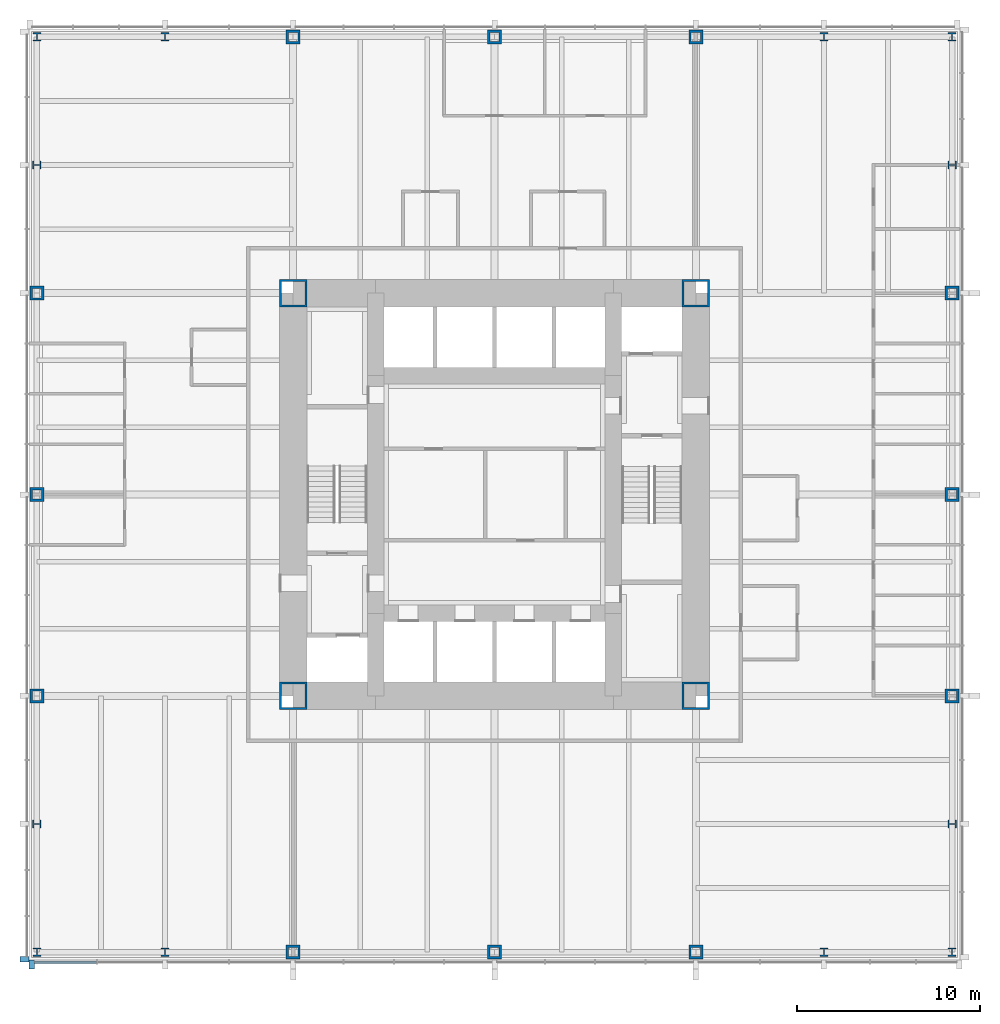
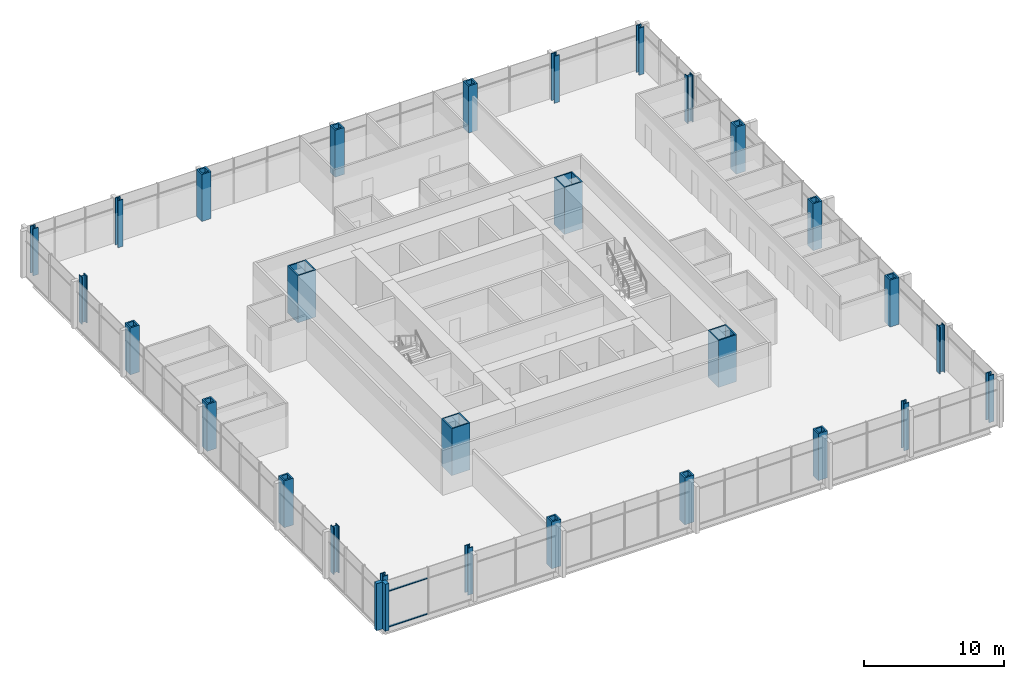
# One storey, part 1 of 12: 28 columns, 4 members, 2 elements without a shape of their own.
"""IFC4 building model written with IfcOpenShell, lengths in metres."""

from ifc_helpers import new_model, si_unit, direction, frame, origin, origin_2d, place, context, subcontext, project, spatial, rectangle, hollow_rectangle, i_section, extrude, material, material_profile, profile_set, type_object, element, aggregate, save


model = new_model("IFC4")

# Units and contexts
model_context = context("Model", 3, precision=1e-05, world=origin(), true_north=direction((0.0, 1.0)))
body_context = subcontext(model_context, "Body", "Model", "MODEL_VIEW")
ifc_project = project(units=[si_unit("LENGTHUNIT", "METRE"), si_unit("AREAUNIT", "SQUARE_METRE"), si_unit("VOLUMEUNIT", "CUBIC_METRE"), si_unit("PLANEANGLEUNIT", "RADIAN"), si_unit("MASSUNIT", "GRAM", prefix="KILO")], contexts=[model_context])

# Site, building, storey
site_placement = place(None, origin())
site = spatial("IfcSite", under=ifc_project, at=site_placement, CompositionType="ELEMENT")
building_placement = place(site_placement, origin())
building = spatial("IfcBuilding", under=site, at=building_placement, Name="Trevanion Tower", CompositionType="ELEMENT")
storey_placement = place(building_placement, frame((0.0, 0.0, 48.800048828125)))
storey = spatial("IfcBuildingStorey", under=building, at=storey_placement, Name="L11", CompositionType="ELEMENT", Elevation=48.800048828125)

# Columns
ifc_material_1 = material(Name="Steel ASTM A588 Grade 50", Category="steel")
ifc_material_profile_1 = material_profile(ifc_material_1, hollow_rectangle(XDim=0.761962890625, YDim=0.761962890625, WallThickness=0.126953125, at=origin_2d()), Name="BOX30X30X5")
ifc_profile_set_1 = profile_set([ifc_material_profile_1], Name="Steel ASTM A588 Grade 50")
column_type_1 = type_object("IfcColumnType", Name="C1 BOX30X30X5", PredefinedType="COLUMN", material=ifc_profile_set_1)
for number, where, z_axis, x_axis, name in (
    (1, (-25.0, 0.0, 0.0), (0.0, 0.0, 1.0), (0.0, 1.0, 0.0), "C1 3/H L11"),
    (2, (-25.0, -11.0, 0.0), (0.0, 0.0, 1.0), (0.0, 1.0, 0.0), "C1 3/F L11"),
    (3, (-11.0, -25.0, 0.0), (0.0, 0.0, 1.0), (1.0, 0.0, 0.0), "C1 8/A L11"),
    (4, (0.0, -25.0, 0.0), (0.0, 0.0, 1.0), (1.0, 0.0, 0.0), "C1 10/A L11"),
    (5, (11.0, -25.0, 0.0), (0.0, 0.0, 1.0), (1.0, 0.0, 0.0), "C1 12/A L11"),
    (6, (25.0, -11.0, 0.0), (0.0, 0.0, 1.0), (0.0, 1.0, 0.0), "C1 17/F L11"),
    (7, (25.0, 0.0, 0.0), (0.0, 0.0, 1.0), (0.0, 1.0, 0.0), "C1 17/H L11"),
    (8, (25.0, 11.0, 0.0), (0.0, 0.0, 1.0), (0.0, 1.0, 0.0), "C1 17/K L11"),
    (9, (11.0, 25.0, 0.0), (0.0, 0.0, 1.0), (1.0, 0.0, 0.0), "C1 12/Q L11"),
    (10, (0.0, 25.0, 0.0), (0.0, 0.0, 1.0), (1.0, 0.0, 0.0), "C1 10/Q L11"),
    (11, (-11.0, 25.0, 0.0), (0.0, 0.0, 1.0), (1.0, 0.0, 0.0), "C1 8/Q L11"),
    (12, (-25.0, 11.0, 0.0), (0.0, 0.0, 1.0), (0.0, 1.0, 0.0), "C1 3/K L11"),
):
    element("IfcColumn", number, at=place(storey_placement, frame(where, z_axis=z_axis, x_axis=x_axis)), inside=storey, type_object=column_type_1, Name=name, PredefinedType="COLUMN", context=body_context, shape_type="SweptSolid", body=[
        extrude(hollow_rectangle(XDim=0.761962890625, YDim=0.761962890625, WallThickness=0.126953125, at=origin_2d()), origin(), (0.0, 0.0, 1.0), 4.099853515625),
    ])
ifc_material_2 = material(Name="Steel ASTM A913 Grade 65", Category="steel")
ifc_material_profile_2 = material_profile(ifc_material_2, i_section(OverallWidth=0.421630859375, OverallDepth=0.46484375, WebThickness=0.044921875, FlangeThickness=0.072509765625, at=origin_2d()), Name="W14X398")
ifc_profile_set_2 = profile_set([ifc_material_profile_2], Name="Steel ASTM A913 Grade 65")
column_type_2 = type_object("IfcColumnType", Name="C2 W14X398", PredefinedType="COLUMN", material=ifc_profile_set_2)
for number, where, z_axis, x_axis, name in (
    (13, (-25.0, -18.0, 0.0), (0.0, 0.0, 1.0), (0.0, 1.0, 0.0), "C2 3/D L11"),
    (14, (-25.0, -25.0, 0.0), (0.0, 0.0, 1.0), (1.0, 0.0, 0.0), "C2 3/A L11"),
    (15, (-18.0, -25.0, 0.0), (0.0, 0.0, 1.0), (1.0, 0.0, 0.0), "C2 6/A L11"),
    (16, (18.0, -25.0, 0.0), (0.0, 0.0, 1.0), (1.0, 0.0, 0.0), "C2 14/A L11"),
    (17, (25.0, -25.0, 0.0), (0.0, 0.0, 1.0), (1.0, 0.0, 0.0), "C2 17/A L11"),
    (18, (25.0, -18.0, 0.0), (0.0, 0.0, 1.0), (0.0, 1.0, 0.0), "C2 17/D L11"),
    (19, (25.0, 18.0, 0.0), (0.0, 0.0, 1.0), (0.0, 1.0, 0.0), "C2 17/M L11"),
    (20, (25.0, 25.0, 0.0), (0.0, 0.0, 1.0), (1.0, 0.0, 0.0), "C2 17/Q L11"),
    (21, (18.0, 25.0, 0.0), (0.0, 0.0, 1.0), (1.0, 0.0, 0.0), "C2 14/Q L11"),
    (22, (-18.0, 25.0, 0.0), (0.0, 0.0, 1.0), (1.0, 0.0, 0.0), "C2 6/Q L11"),
    (23, (-25.0, 25.0, 0.0), (0.0, 0.0, 1.0), (1.0, 0.0, 0.0), "C2 3/Q L11"),
    (24, (-25.0, 18.0, 0.0), (0.0, 0.0, 1.0), (0.0, 1.0, 0.0), "C2 3/M L11"),
):
    element("IfcColumn", number, at=place(storey_placement, frame(where, z_axis=z_axis, x_axis=x_axis)), inside=storey, type_object=column_type_2, Name=name, PredefinedType="COLUMN", context=body_context, shape_type="SweptSolid", body=[
        extrude(i_section(OverallWidth=0.421630859375, OverallDepth=0.46484375, WebThickness=0.044921875, FlangeThickness=0.072509765625, at=origin_2d()), origin(), (0.0, 0.0, 1.0), 4.099853515625),
    ])
ifc_material_3 = material(Name="Steel ASTM A572 Grade 50", Category="steel")
ifc_material_profile_3 = material_profile(ifc_material_3, hollow_rectangle(XDim=1.49853515625, YDim=1.49853515625, WallThickness=0.1015625, at=origin_2d()), Name="BOX59X59X4")
ifc_profile_set_3 = profile_set([ifc_material_profile_3], Name="Steel ASTM A572 Grade 50")
column_type_3 = type_object("IfcColumnType", Name="CB1 BOX59X59X4", PredefinedType="COLUMN", material=ifc_profile_set_3)
for number, where, z_axis, x_axis, name in (
    (25, (11.0, 11.0, 0.0), (0.0, 0.0, 1.0), (1.0, 0.0, 0.0), "CB1 NE L11"),
    (26, (-11.0, 11.0, 0.0), (0.0, 0.0, 1.0), (1.0, 0.0, 0.0), "CB1 NW L11"),
    (27, (-11.0, -11.0, 0.0), (0.0, 0.0, 1.0), (1.0, 0.0, 0.0), "CB1 SW L11"),
    (28, (11.0, -11.0, 0.0), (0.0, 0.0, 1.0), (1.0, 0.0, 0.0), "CB1 SE L11"),
):
    element("IfcColumn", number, at=place(storey_placement, frame(where, z_axis=z_axis, x_axis=x_axis)), inside=storey, type_object=column_type_3, Name=name, PredefinedType="COLUMN", context=body_context, shape_type="SweptSolid", body=[
        extrude(hollow_rectangle(XDim=1.49853515625, YDim=1.49853515625, WallThickness=0.1015625, at=origin_2d()), origin(), (0.0, 0.0, 1.0), 4.099853515625),
    ])

# Curtain wall, member
ifc_material_4 = material(Name="Aluminium and glass", Category="aluminium")
curtain_wall_type = type_object("IfcCurtainWallType", Name="CW1 curtain wall", PredefinedType="USERDEFINED", material=ifc_material_4)
curtain_wall_1_placement = place(storey_placement, origin())
curtain_wall_1 = element("IfcCurtainWall", 29, at=curtain_wall_1_placement, inside=storey, type_object=curtain_wall_type, Name="CW1 L11 2", ObjectType="UNITISED CURTAIN WALL", PredefinedType="USERDEFINED")
ifc_material_5 = material(Name="Aluminium extrusion, anodised bronze", Category="aluminium")
ifc_material_profile_4 = material_profile(ifc_material_5, rectangle(XDim=0.300048828125, YDim=0.5, at=origin_2d()), Name="CW1 pier mullion")
ifc_profile_set_4 = profile_set([ifc_material_profile_4], Name="Aluminium extrusion, anodised bronze")
member_type_1 = type_object("IfcMemberType", Name="CW1 pier mullion", PredefinedType="MULLION", material=ifc_profile_set_4)
member_1_placement = place(storey_placement, frame((-25.675048828125, -25.39990234375, -0.18994140625), z_axis=(0.0, 0.0, 1.0), x_axis=(0.0, -1.0, 0.0)))
member_1 = element("IfcMember", 30, at=member_1_placement, type_object=member_type_1, Name="CW1 pier mullion 18", PredefinedType="MULLION", context=body_context, shape_type="SweptSolid", body=[
    extrude(rectangle(XDim=0.300048828125, YDim=0.5, at=origin_2d()), origin(), (0.0, 0.0, 1.0), 4.099853515625),
])
aggregate(curtain_wall_1, [member_1])

# Curtain wall, members
curtain_wall_2_placement = place(storey_placement, origin())
curtain_wall_2 = element("IfcCurtainWall", 31, at=curtain_wall_2_placement, inside=storey, type_object=curtain_wall_type, Name="CW1 L11 3", ObjectType="UNITISED CURTAIN WALL", PredefinedType="USERDEFINED")
member_2_placement = place(storey_placement, frame((-25.27001953125, -25.675048828125, -0.18994140625), z_axis=(0.0, 0.0, 1.0), x_axis=(1.0, 0.0, 0.0)))
member_2 = element("IfcMember", 32, at=member_2_placement, type_object=member_type_1, Name="CW1 pier mullion 1", PredefinedType="MULLION", context=body_context, shape_type="SweptSolid", body=[
    extrude(rectangle(XDim=0.300048828125, YDim=0.5, at=origin_2d()), origin(), (0.0, 0.0, 1.0), 4.099853515625),
])
ifc_material_6 = material(Name="Aluminium extrusion, anodised bronze", Category="aluminium")
ifc_material_profile_5 = material_profile(ifc_material_6, rectangle(XDim=0.14990234375, YDim=0.074951171875, at=origin_2d()), Name="CW1 transom")
ifc_profile_set_5 = profile_set([ifc_material_profile_5], Name="Aluminium extrusion, anodised bronze")
member_type_2 = type_object("IfcMemberType", Name="CW1 transom", PredefinedType="USERDEFINED", material=ifc_profile_set_5)
member_3_placement = place(storey_placement, frame((-25.1201171875, -25.550048828125, -0.152587890625), z_axis=(1.0, 0.0, 0.0), x_axis=(0.0, 1.0, 0.0)))
member_3 = element("IfcMember", 33, at=member_3_placement, type_object=member_type_2, Name="CW1 transom 1.1", ObjectType="TRANSOM", PredefinedType="USERDEFINED", context=body_context, shape_type="SweptSolid", body=[
    extrude(rectangle(XDim=0.14990234375, YDim=0.074951171875, at=origin_2d()), origin(), (0.0, 0.0, 1.0), 3.37255859375),
])
member_4_placement = place(storey_placement, frame((-25.1201171875, -25.550048828125, 2.9599609375), z_axis=(1.0, 0.0, 0.0), x_axis=(0.0, 1.0, 0.0)))
member_4 = element("IfcMember", 34, at=member_4_placement, type_object=member_type_2, Name="CW1 transom 1.2", ObjectType="TRANSOM", PredefinedType="USERDEFINED", context=body_context, shape_type="SweptSolid", body=[
    extrude(rectangle(XDim=0.14990234375, YDim=0.074951171875, at=origin_2d()), origin(), (0.0, 0.0, 1.0), 3.37255859375),
])
aggregate(curtain_wall_2, [member_2, member_3, member_4])

save(model, "model.ifc")
